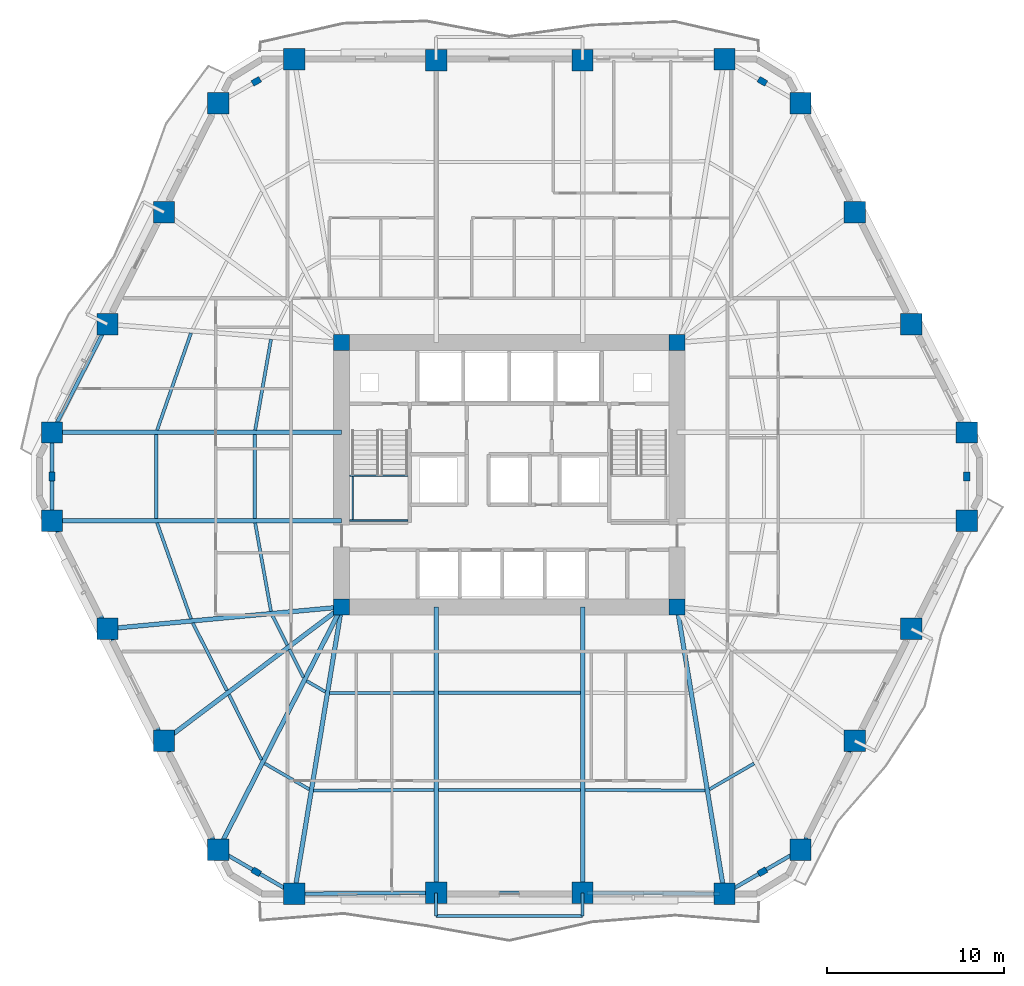
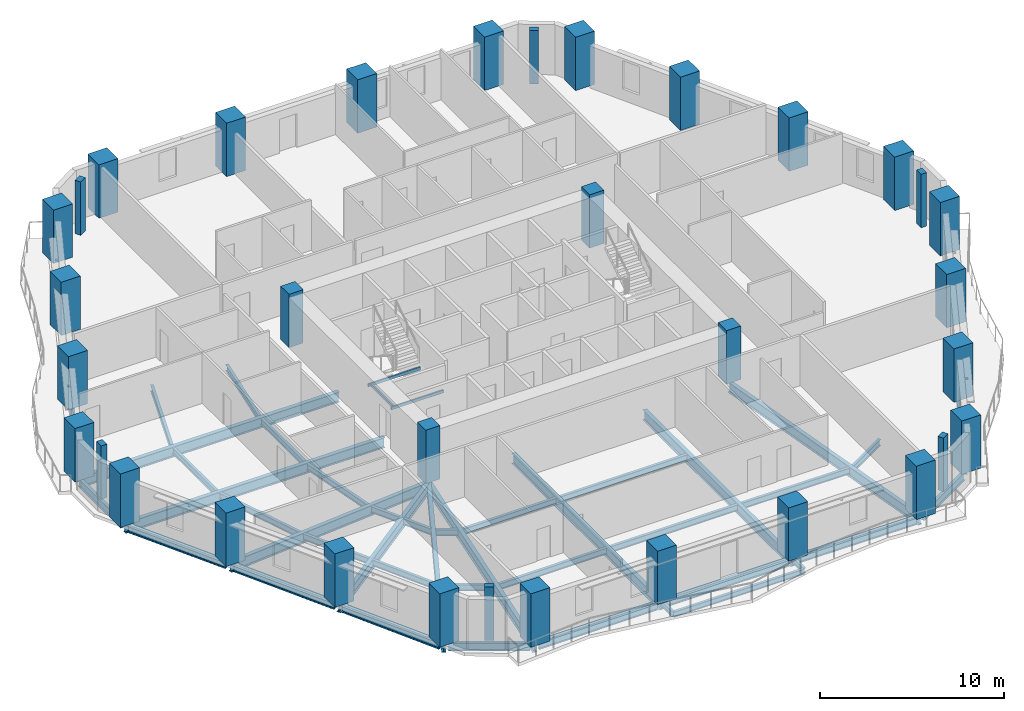
# One storey, part 1 of 13: 44 beams, 34 columns.
"""IFC4 building model written with IfcOpenShell, lengths in metres."""

import ifcopenshell
import ifcopenshell.guid

model = None  # the IFC model being written
_history = None  # IfcOwnerHistory: only IFC2X3 demands one
_inside = {}  # id of a spatial element -> (the spatial element, [elements in it])
_under = {}  # id of a project, library or spatial element -> (it, [spatial elements below it])
_declared = {}  # id of a project -> (the project, [libraries it declares])
_typed = {}  # id of a type object -> (the type object, [elements of that type])
_made_of = {}  # id of a material, layer set ... -> (it, [elements and type objects made of it])


def new_model(schema):
    """Start an empty IFC model of exactly this schema.

    Asked for "IFC4X3", IfcOpenShell would pick the latest addendum, in which some entities
    have other attributes; the version numbers below select the first issue.
    IFC2X3 requires an IfcOwnerHistory on every rooted entity: one is made here for all.
    """
    global model, _history
    if schema == "IFC4X3":
        model = ifcopenshell.file(schema_version=(4, 3, 0, 0))
    else:
        model = ifcopenshell.file(schema=schema)
    _inside.clear()
    _under.clear()
    _declared.clear()
    _typed.clear()
    _made_of.clear()
    _history = None
    if model.schema == "IFC2X3":
        org = make("IfcOrganization", Name="unknown")
        user = make(
            "IfcPersonAndOrganization",
            ThePerson=make("IfcPerson", FamilyName="unknown"),
            TheOrganization=org,
        )
        app = make(
            "IfcApplication",
            ApplicationDeveloper=org,
            Version="unknown",
            ApplicationFullName="unknown",
            ApplicationIdentifier="unknown",
        )
        _history = make(
            "IfcOwnerHistory",
            OwningUser=user,
            OwningApplication=app,
            ChangeAction="ADDED",
            CreationDate=0,
        )
    return model


def make(cls, **values):
    """One entity of the class cls with the attributes given. An attribute that is None is left unset."""
    return model.create_entity(
        cls, **{name: value for name, value in values.items() if value is not None}
    )


def rooted(cls, **values):
    """An entity with a GlobalId (a new one), such as an element, a storey or a relation."""
    return make(cls, GlobalId=ifcopenshell.guid.new(), OwnerHistory=_history, **values)


def si_unit(unit_type, name, prefix=None):
    """IfcSIUnit, for example si_unit("LENGTHUNIT", "METRE", prefix="MILLI")."""
    return make("IfcSIUnit", UnitType=unit_type, Prefix=prefix, Name=name)


def assignment(units):
    """IfcUnitAssignment: the units of a project."""
    return None if units is None else make("IfcUnitAssignment", Units=units)


def point(xyz):
    """IfcCartesianPoint."""
    return None if xyz is None else make("IfcCartesianPoint", Coordinates=xyz)


def direction(xyz):
    """IfcDirection."""
    return None if xyz is None else make("IfcDirection", DirectionRatios=xyz)


def frame(location, z_axis=None, x_axis=None):
    """IfcAxis2Placement3D, a coordinate frame: its origin and axes. An axis left out is left unset."""
    return make(
        "IfcAxis2Placement3D",
        Location=point(location),
        Axis=direction(z_axis),
        RefDirection=direction(x_axis),
    )


def frame_2d(location, x_axis=None):
    """IfcAxis2Placement2D, a coordinate frame in the plane: its origin and x axis."""
    return make(
        "IfcAxis2Placement2D", Location=point(location), RefDirection=direction(x_axis)
    )


def origin():
    """The frame at (0, 0, 0) with its axes left unset."""
    return frame((0.0, 0.0, 0.0))


def origin_2d():
    """The frame at (0, 0) in the plane with its x axis left unset."""
    return frame_2d((0.0, 0.0))


def place(relative_to, where):
    """IfcLocalPlacement: puts the frame where relative to a parent placement (None: the world)."""
    return make(
        "IfcLocalPlacement", PlacementRelTo=relative_to, RelativePlacement=where
    )


def context(
    kind, dimensions, precision=None, world=None, true_north=None, identifier=None
):
    """IfcGeometricRepresentationContext, for example the 3D "Model" context."""
    return make(
        "IfcGeometricRepresentationContext",
        ContextIdentifier=identifier,
        ContextType=kind,
        CoordinateSpaceDimension=dimensions,
        Precision=precision,
        WorldCoordinateSystem=world,
        TrueNorth=true_north,
    )


def subcontext(parent, identifier, kind, view, scale=None):
    """IfcGeometricRepresentationSubContext, for example "Body" below "Model"."""
    return make(
        "IfcGeometricRepresentationSubContext",
        ContextIdentifier=identifier,
        ContextType=kind,
        ParentContext=parent,
        TargetScale=scale,
        TargetView=view,
    )


def project(units=None, contexts=None):
    """IfcProject with its units and contexts."""
    return rooted(
        "IfcProject",
        Name="project",
        RepresentationContexts=contexts,
        UnitsInContext=assignment(units),
    )


def spatial(cls, under=None, at=None, **own):
    """A site, building, storey or space (cls), placed at a placement, below another one or the project."""
    s = rooted(cls, ObjectPlacement=at, **own)
    if under is not None:
        _under.setdefault(under.id(), (under, []))[1].append(s)
    return s


def profile(cls, at=None, kind="AREA", **sizes):
    """A parametric profile (cls). Its sizes go by their IFC names, for example OverallWidth=200.0."""
    return make(cls, ProfileType=kind, Position=at, **sizes)


def rectangle(**sizes):
    """IfcRectangleProfileDef."""
    return profile("IfcRectangleProfileDef", **sizes)


def hollow_rectangle(**sizes):
    """IfcRectangleHollowProfileDef."""
    return profile("IfcRectangleHollowProfileDef", **sizes)


def i_section(**sizes):
    """IfcIShapeProfileDef."""
    return profile("IfcIShapeProfileDef", **sizes)


def extrude(swept, where, along, depth):
    """IfcExtrudedAreaSolid: the profile swept, set in the frame where, extruded along a direction by depth."""
    return make(
        "IfcExtrudedAreaSolid",
        SweptArea=swept,
        Position=where,
        ExtrudedDirection=direction(along),
        Depth=depth,
    )


def shape(context_of_items, identifier, shape_type, items):
    """IfcShapeRepresentation: the items that make up one representation, for example the "Body"."""
    return make(
        "IfcShapeRepresentation",
        ContextOfItems=context_of_items,
        RepresentationIdentifier=identifier,
        RepresentationType=shape_type,
        Items=items,
    )


def material(Name=None, Category=None):
    """IfcMaterial."""
    return make("IfcMaterial", Name=Name, Category=Category)


def material_profile(
    of_material, cross_section, Name=None, Category=None, Priority=None
):
    """IfcMaterialProfile: a cross section and its material."""
    return make(
        "IfcMaterialProfile",
        Name=Name,
        Material=of_material,
        Profile=cross_section,
        Priority=Priority,
        Category=Category,
    )


def profile_set(profiles, Name=None, composite=None):
    """IfcMaterialProfileSet."""
    return make(
        "IfcMaterialProfileSet",
        Name=Name,
        MaterialProfiles=profiles,
        CompositeProfile=composite,
    )


def made_of(thing, what):
    """Note that an element or type object is made of a material, layer set ...; save() writes the relation."""
    if what is not None:
        _made_of.setdefault(what.id(), (what, []))[1].append(thing)
    return thing


def type_object(cls, material=None, **own):
    """A type object (cls), such as IfcWallType, which elements share."""
    return made_of(rooted(cls, **own), material)


def element(
    cls,
    number,
    at=None,
    inside=None,
    cuts=None,
    type_object=None,
    material=None,
    context=None,
    identifier="Body",
    shape_type=None,
    held_by="IfcProductDefinitionShape",
    body=None,
    shapes=None,
    **own,
):
    """One element of the class cls, such as IfcWall. Its Tag is "e" and its number.

    at: its placement. inside: the storey or other place that contains it. cuts: it is an
    opening in that element (IfcRelVoidsElement). A single representation is given by context,
    identifier, shape_type and body (its items); several are given by shapes. held_by: the class
    of the entity that holds the representations. save() writes the other relations.
    """
    e = rooted(cls, Tag="e%d" % number, ObjectPlacement=at, **own)
    if body is not None:
        shapes = [shape(context, identifier, shape_type, body)]
    if shapes is not None:
        e.Representation = make(held_by, Representations=shapes)
    if inside is not None:
        _inside.setdefault(inside.id(), (inside, []))[1].append(e)
    if cuts is not None:
        rooted(
            "IfcRelVoidsElement", RelatingBuildingElement=cuts, RelatedOpeningElement=e
        )
    if type_object is not None:
        _typed.setdefault(type_object.id(), (type_object, []))[1].append(e)
    return made_of(e, material)


def aggregate(whole, parts):
    """IfcRelAggregates: a whole, such as a stair, and the parts it consists of."""
    return rooted("IfcRelAggregates", RelatingObject=whole, RelatedObjects=parts)


def save(model, path):
    """Write the relations noted so far, then the file.

    IfcRelAggregates (storeys below a building ...), IfcRelContainedInSpatialStructure (elements
    in a storey), IfcRelDefinesByType, IfcRelAssociatesMaterial and IfcRelDeclares: one each for
    every whole, place, type object, material and project.
    """
    for whole, parts in _under.values():
        aggregate(whole, parts)
    for where, things in _inside.values():
        rooted(
            "IfcRelContainedInSpatialStructure",
            RelatedElements=things,
            RelatingStructure=where,
        )
    for kind, things in _typed.values():
        rooted("IfcRelDefinesByType", RelatedObjects=things, RelatingType=kind)
    for what, things in _made_of.values():
        rooted("IfcRelAssociatesMaterial", RelatedObjects=things, RelatingMaterial=what)
    for by, libraries in _declared.values():
        rooted("IfcRelDeclares", RelatingContext=by, RelatedDefinitions=libraries)
    model.write(path)


model = new_model("IFC4")

# Units and contexts
model_context = context("Model", 3, precision=1e-05, world=origin(), true_north=direction((0.0, 1.0)))
body_context = subcontext(model_context, "Body", "Model", "MODEL_VIEW")
ifc_project = project(units=[si_unit("LENGTHUNIT", "METRE"), si_unit("AREAUNIT", "SQUARE_METRE"), si_unit("VOLUMEUNIT", "CUBIC_METRE"), si_unit("PLANEANGLEUNIT", "RADIAN"), si_unit("MASSUNIT", "GRAM", prefix="KILO")], contexts=[model_context])

# Site, building, storey
site_placement = place(None, origin())
site = spatial("IfcSite", under=ifc_project, at=site_placement, CompositionType="ELEMENT")
building_placement = place(site_placement, origin())
building = spatial("IfcBuilding", under=site, at=building_placement, Name="Cinnabar Lancet Tower", CompositionType="ELEMENT")
storey_placement = place(building_placement, frame((0.0, 0.0, 49.75)))
storey = spatial("IfcBuildingStorey", under=building, at=storey_placement, Name="L12", CompositionType="ELEMENT", Elevation=49.75)

# Columns
ifc_material_1 = material(Name="Concrete C80/95", Category="concrete")
ifc_material_profile_1 = material_profile(ifc_material_1, rectangle(XDim=0.89990234375, YDim=0.89990234375, at=origin_2d()), Name="RC-COL 900x900")
ifc_profile_set_1 = profile_set([ifc_material_profile_1], Name="Concrete C80/95")
column_type_1 = type_object("IfcColumnType", Name="STR-COL-CORE-900", PredefinedType="COLUMN", material=ifc_profile_set_1)
for number, where, z_axis, x_axis, name in (
    (1, (22.949951171875, 18.449951171875, 0.0), (0.0, 0.0, 1.0), (1.0, 0.0, 0.0), "L12 Core Corner Column SW"),
    (2, (41.85009765625, 18.449951171875, 0.0), (0.0, 0.0, 1.0), (1.0, 0.0, 0.0), "L12 Core Corner Column SE"),
    (3, (41.85009765625, 33.35009765625, 0.0), (0.0, 0.0, 1.0), (1.0, 0.0, 0.0), "L12 Core Corner Column NE"),
    (4, (22.949951171875, 33.35009765625, 0.0), (0.0, 0.0, 1.0), (1.0, 0.0, 0.0), "L12 Core Corner Column NW"),
):
    element("IfcColumn", number, at=place(storey_placement, frame(where, z_axis=z_axis, x_axis=x_axis)), inside=storey, type_object=column_type_1, Name=name, PredefinedType="COLUMN", context=body_context, shape_type="SweptSolid", body=[
        extrude(rectangle(XDim=0.89990234375, YDim=0.89990234375, at=origin_2d()), origin(), (0.0, 0.0, 1.0), 3.550048828125),
    ])
ifc_material_2 = material(Name="Concrete C60/75", Category="concrete")
ifc_material_profile_2 = material_profile(ifc_material_2, rectangle(XDim=0.5, YDim=0.35009765625, at=origin_2d()), Name="RC-PIL 500x350")
ifc_profile_set_2 = profile_set([ifc_material_profile_2], Name="Concrete C60/75")
column_type_2 = type_object("IfcColumnType", Name="STR-COL-PIL-500", PredefinedType="PILASTER", material=ifc_profile_set_2)
for number, where, z_axis, x_axis, name in (
    (5, (18.139892578125, 3.531005859375, 0.0), (0.0, 0.0, 1.0), (0.865195182343, -0.501435236546, 0.0), "L12 Chamfered Corner Pilaster 1"),
    (6, (46.659912109375, 3.531005859375, 0.0), (0.0, 0.0, 1.0), (0.865195182343, 0.501435236546, 0.0), "L12 Chamfered Corner Pilaster 2"),
    (7, (58.16796875, 25.800048828125, 0.0), (0.0, 0.0, 1.0), (0.0, 1.0, 0.0), "L12 Chamfered Corner Pilaster 3"),
    (8, (46.659912109375, 48.069091796875, 0.0), (0.0, 0.0, 1.0), (-0.865195182343, 0.501435236546, 0.0), "L12 Chamfered Corner Pilaster 4"),
    (9, (18.139892578125, 48.069091796875, 0.0), (0.0, 0.0, 1.0), (-0.865195182343, -0.501435236546, 0.0), "L12 Chamfered Corner Pilaster 5"),
    (10, (6.632080078125, 25.800048828125, 0.0), (0.0, 0.0, 1.0), (0.0, -1.0, 0.0), "L12 Chamfered Corner Pilaster 6"),
):
    element("IfcColumn", number, at=place(storey_placement, frame(where, z_axis=z_axis, x_axis=x_axis)), inside=storey, type_object=column_type_2, Name=name, PredefinedType="PILASTER", context=body_context, shape_type="SweptSolid", body=[
        extrude(rectangle(XDim=0.5, YDim=0.35009765625, at=origin_2d()), origin(), (0.0, 0.0, 1.0), 3.550048828125),
    ])
ifc_material_3 = material(Name="Concrete C80/95", Category="concrete")
ifc_material_profile_3 = material_profile(ifc_material_3, rectangle(XDim=1.199951171875, YDim=1.199951171875, at=origin_2d()), Name="RC-COL 1200x1200")
ifc_profile_set_3 = profile_set([ifc_material_profile_3], Name="Concrete C80/95")
column_type_3 = type_object("IfcColumnType", Name="STR-COL-TUBE-1200", PredefinedType="COLUMN", material=ifc_profile_set_3)
for number, where, z_axis, x_axis, name in (
    (11, (20.282958984375, 2.2890625, 0.0), (0.0, 0.0, 1.0), (1.0, 0.0, 0.0), "L12 Perimeter Tube Column 1"),
    (12, (28.278076171875, 2.342041015625, 0.0), (0.0, 0.0, 1.0), (1.0, 0.0, 0.0), "L12 Perimeter Tube Column 2"),
    (13, (36.52197265625, 2.342041015625, 0.0), (0.0, 0.0, 1.0), (1.0, 0.0, 0.0), "L12 Perimeter Tube Column 3"),
    (14, (44.51708984375, 2.2890625, 0.0), (0.0, 0.0, 1.0), (1.0, 0.0, 0.0), "L12 Perimeter Tube Column 4"),
    (15, (48.802978515625, 4.77294921875, 0.0), (0.0, 0.0, 1.0), (1.0, 0.0, 0.0), "L12 Perimeter Tube Column 5"),
    (16, (51.85888671875, 10.908935546875, 0.0), (0.0, 0.0, 1.0), (1.0, 0.0, 0.0), "L12 Perimeter Tube Column 6"),
    (17, (55.0458984375, 17.219970703125, 0.0), (0.0, 0.0, 1.0), (1.0, 0.0, 0.0), "L12 Perimeter Tube Column 7"),
    (18, (58.16796875, 23.31396484375, 0.0), (0.0, 0.0, 1.0), (1.0, 0.0, 0.0), "L12 Perimeter Tube Column 8"),
    (19, (58.16796875, 28.285888671875, 0.0), (0.0, 0.0, 1.0), (1.0, 0.0, 0.0), "L12 Perimeter Tube Column 9"),
    (20, (55.0458984375, 34.3798828125, 0.0), (0.0, 0.0, 1.0), (1.0, 0.0, 0.0), "L12 Perimeter Tube Column 10"),
    (21, (51.85888671875, 40.69091796875, 0.0), (0.0, 0.0, 1.0), (1.0, 0.0, 0.0), "L12 Perimeter Tube Column 11"),
    (22, (48.802978515625, 46.826904296875, 0.0), (0.0, 0.0, 1.0), (1.0, 0.0, 0.0), "L12 Perimeter Tube Column 12"),
    (23, (44.51708984375, 49.31103515625, 0.0), (0.0, 0.0, 1.0), (1.0, 0.0, 0.0), "L12 Perimeter Tube Column 13"),
    (24, (36.52197265625, 49.258056640625, 0.0), (0.0, 0.0, 1.0), (1.0, 0.0, 0.0), "L12 Perimeter Tube Column 14"),
    (25, (28.278076171875, 49.258056640625, 0.0), (0.0, 0.0, 1.0), (1.0, 0.0, 0.0), "L12 Perimeter Tube Column 15"),
    (26, (20.282958984375, 49.31103515625, 0.0), (0.0, 0.0, 1.0), (1.0, 0.0, 0.0), "L12 Perimeter Tube Column 16"),
    (27, (15.9970703125, 46.826904296875, 0.0), (0.0, 0.0, 1.0), (1.0, 0.0, 0.0), "L12 Perimeter Tube Column 17"),
    (28, (12.94091796875, 40.69091796875, 0.0), (0.0, 0.0, 1.0), (1.0, 0.0, 0.0), "L12 Perimeter Tube Column 18"),
    (29, (9.75390625, 34.3798828125, 0.0), (0.0, 0.0, 1.0), (1.0, 0.0, 0.0), "L12 Perimeter Tube Column 19"),
    (30, (6.632080078125, 28.285888671875, 0.0), (0.0, 0.0, 1.0), (1.0, 0.0, 0.0), "L12 Perimeter Tube Column 20"),
    (31, (6.632080078125, 23.31396484375, 0.0), (0.0, 0.0, 1.0), (1.0, 0.0, 0.0), "L12 Perimeter Tube Column 21"),
    (32, (9.75390625, 17.219970703125, 0.0), (0.0, 0.0, 1.0), (1.0, 0.0, 0.0), "L12 Perimeter Tube Column 22"),
    (33, (12.94091796875, 10.908935546875, 0.0), (0.0, 0.0, 1.0), (1.0, 0.0, 0.0), "L12 Perimeter Tube Column 23"),
    (34, (15.9970703125, 4.77294921875, 0.0), (0.0, 0.0, 1.0), (1.0, 0.0, 0.0), "L12 Perimeter Tube Column 24"),
):
    element("IfcColumn", number, at=place(storey_placement, frame(where, z_axis=z_axis, x_axis=x_axis)), inside=storey, type_object=column_type_3, Name=name, PredefinedType="COLUMN", context=body_context, shape_type="SweptSolid", body=[
        extrude(rectangle(XDim=1.199951171875, YDim=1.199951171875, at=origin_2d()), origin(), (0.0, 0.0, 1.0), 3.550048828125),
    ])

# Beams
ifc_material_4 = material(Name="Structural steel S355", Category="steel")
ifc_material_profile_4 = material_profile(ifc_material_4, i_section(OverallWidth=0.177978515625, OverallDepth=0.406494140625, WebThickness=0.0078125, FlangeThickness=0.0126953125, FilletRadius=0.01025390625, at=origin_2d()), Name="UKB 406x178x60")
ifc_profile_set_4 = profile_set([ifc_material_profile_4], Name="Structural steel S355")
beam_type_1 = type_object("IfcBeamType", Name="STR-BM-JST-406", PredefinedType="JOIST", material=ifc_profile_set_4)
beam_1_placement = place(storey_placement, frame((12.551025390625, 23.18701171875, -0.423095703125), z_axis=(0.333384030214, -0.942791115995, 0.0), x_axis=(0.942791115995, 0.333384030214, 0.0)))
element("IfcBeam", 35, at=beam_1_placement, inside=storey, type_object=beam_type_1, Name="L12 Secondary Floor Joist 1", PredefinedType="JOIST", context=body_context, shape_type="SweptSolid", body=[
    extrude(i_section(OverallWidth=0.177978515625, OverallDepth=0.406494140625, WebThickness=0.0078125, FlangeThickness=0.0126953125, FilletRadius=0.01025390625, at=origin_2d()), origin(), (0.0, 0.0, 1.0), 5.728759765625),
])
beam_2_placement = place(storey_placement, frame((18.076904296875, 23.18701171875, -0.423095703125), z_axis=(0.176294913937, -0.984337393031, 0.0), x_axis=(0.984337393031, 0.176294913937, 0.0)))
element("IfcBeam", 36, at=beam_2_placement, inside=storey, type_object=beam_type_1, Name="L12 Secondary Floor Joist 2", PredefinedType="JOIST", context=body_context, shape_type="SweptSolid", body=[
    extrude(i_section(OverallWidth=0.177978515625, OverallDepth=0.406494140625, WebThickness=0.0078125, FlangeThickness=0.0126953125, FilletRadius=0.01025390625, at=origin_2d()), origin(), (0.0, 0.0, 1.0), 5.060302734375),
])
beam_3_placement = place(storey_placement, frame((14.56591796875, 17.541015625, -0.423095703125), z_axis=(0.450809572228, -0.892620148545, 0.0), x_axis=(0.892620148545, 0.450809572228, 0.0)))
element("IfcBeam", 37, at=beam_3_placement, inside=storey, type_object=beam_type_1, Name="L12 Secondary Floor Joist 3", PredefinedType="JOIST", context=body_context, shape_type="SweptSolid", body=[
    extrude(i_section(OverallWidth=0.177978515625, OverallDepth=0.406494140625, WebThickness=0.0078125, FlangeThickness=0.0126953125, FilletRadius=0.01025390625, at=origin_2d()), origin(), (0.0, 0.0, 1.0), 4.25927734375),
])
beam_4_placement = place(storey_placement, frame((19.052978515625, 17.958984375, -0.423095703125), z_axis=(0.450632179195, -0.892709717139, 0.0), x_axis=(0.892709717139, 0.450632179195, 0.0)))
element("IfcBeam", 38, at=beam_4_placement, inside=storey, type_object=beam_type_1, Name="L12 Secondary Floor Joist 4", PredefinedType="JOIST", context=body_context, shape_type="SweptSolid", body=[
    extrude(i_section(OverallWidth=0.177978515625, OverallDepth=0.406494140625, WebThickness=0.0078125, FlangeThickness=0.0126953125, FilletRadius=0.01025390625, at=origin_2d()), origin(), (0.0, 0.0, 1.0), 1.85498046875),
])
beam_5_placement = place(storey_placement, frame((16.60205078125, 13.508056640625, -0.423095703125), z_axis=(0.445807799253, -0.895128709251, 0.0), x_axis=(0.895128709251, 0.445807799253, 0.0)))
element("IfcBeam", 39, at=beam_5_placement, inside=storey, type_object=beam_type_1, Name="L12 Secondary Floor Joist 5", PredefinedType="JOIST", context=body_context, shape_type="SweptSolid", body=[
    extrude(i_section(OverallWidth=0.177978515625, OverallDepth=0.406494140625, WebThickness=0.0078125, FlangeThickness=0.0126953125, FilletRadius=0.01025390625, at=origin_2d()), origin(), (0.0, 0.0, 1.0), 4.10009765625),
])
beam_6_placement = place(storey_placement, frame((20.0048828125, 16.072021484375, -0.423095703125), z_axis=(0.445888683384, -0.895088421347, 0.0), x_axis=(0.895088421347, 0.445888683384, 0.0)))
element("IfcBeam", 40, at=beam_6_placement, inside=storey, type_object=beam_type_1, Name="L12 Secondary Floor Joist 6", PredefinedType="JOIST", context=body_context, shape_type="SweptSolid", body=[
    extrude(i_section(OverallWidth=0.177978515625, OverallDepth=0.406494140625, WebThickness=0.0078125, FlangeThickness=0.0126953125, FilletRadius=0.01025390625, at=origin_2d()), origin(), (0.0, 0.0, 1.0), 1.76953125),
])
beam_7_placement = place(storey_placement, frame((18.610107421875, 9.633056640625, -0.423095703125), z_axis=(0.865209684948, -0.501410212373, 0.0), x_axis=(0.501410212373, 0.865209684948, 0.0)))
element("IfcBeam", 41, at=beam_7_placement, inside=storey, type_object=beam_type_1, Name="L12 Secondary Floor Joist 7", PredefinedType="JOIST", context=body_context, shape_type="SweptSolid", body=[
    extrude(i_section(OverallWidth=0.177978515625, OverallDepth=0.406494140625, WebThickness=0.0078125, FlangeThickness=0.0126953125, FilletRadius=0.01025390625, at=origin_2d()), origin(), (0.0, 0.0, 1.0), 2.90771484375),
])
beam_8_placement = place(storey_placement, frame((20.97412109375, 14.282958984375, -0.423095703125), z_axis=(0.865417177575, -0.50105200205, 0.0), x_axis=(0.50105200205, 0.865417177575, 0.0)))
element("IfcBeam", 42, at=beam_8_placement, inside=storey, type_object=beam_type_1, Name="L12 Secondary Floor Joist 8", PredefinedType="JOIST", context=body_context, shape_type="SweptSolid", body=[
    extrude(i_section(OverallWidth=0.177978515625, OverallDepth=0.406494140625, WebThickness=0.0078125, FlangeThickness=0.0126953125, FilletRadius=0.01025390625, at=origin_2d()), origin(), (0.0, 0.0, 1.0), 1.223388671875),
])
beam_9_placement = place(storey_placement, frame((21.3720703125, 8.10791015625, -0.423095703125), z_axis=(0.999988870422, 0.004717947923, 0.0), x_axis=(-0.004717947923, 0.999988870422, 0.0)))
element("IfcBeam", 43, at=beam_9_placement, inside=storey, type_object=beam_type_1, Name="L12 Secondary Floor Joist 9", PredefinedType="JOIST", context=body_context, shape_type="SweptSolid", body=[
    extrude(i_section(OverallWidth=0.177978515625, OverallDepth=0.406494140625, WebThickness=0.0078125, FlangeThickness=0.0126953125, FilletRadius=0.01025390625, at=origin_2d()), origin(), (0.0, 0.0, 1.0), 6.77880859375),
])
beam_10_placement = place(storey_placement, frame((22.279052734375, 13.60205078125, -0.423095703125), z_axis=(0.999996783665, 0.00253626892, 0.0), x_axis=(-0.00253626892, 0.999996783665, 0.0)))
element("IfcBeam", 44, at=beam_10_placement, inside=storey, type_object=beam_type_1, Name="L12 Secondary Floor Joist 10", PredefinedType="JOIST", context=body_context, shape_type="SweptSolid", body=[
    extrude(i_section(OverallWidth=0.177978515625, OverallDepth=0.406494140625, WebThickness=0.0078125, FlangeThickness=0.0126953125, FilletRadius=0.01025390625, at=origin_2d()), origin(), (0.0, 0.0, 1.0), 5.871826171875),
])
for number, where, z_axis, x_axis, name in (
    (45, (28.405029296875, 8.14111328125, -0.423095703125), (1.0, 0.0, 0.0), (0.0, 1.0, 0.0), "L12 Secondary Floor Joist 11"),
    (46, (28.405029296875, 13.617919921875, -0.423095703125), (1.0, 0.0, 0.0), (0.0, 1.0, 0.0), "L12 Secondary Floor Joist 12"),
):
    element("IfcBeam", number, at=place(storey_placement, frame(where, z_axis=z_axis, x_axis=x_axis)), inside=storey, type_object=beam_type_1, Name=name, PredefinedType="JOIST", context=body_context, shape_type="SweptSolid", body=[
        extrude(i_section(OverallWidth=0.177978515625, OverallDepth=0.406494140625, WebThickness=0.0078125, FlangeThickness=0.0126953125, FilletRadius=0.01025390625, at=origin_2d()), origin(), (0.0, 0.0, 1.0), 7.989990234375),
    ])
beam_11_placement = place(storey_placement, frame((36.64892578125, 8.139892578125, -0.423095703125), z_axis=(0.999988871223, -0.004717778015, 0.0), x_axis=(0.004717778015, 0.999988871223, 0.0)))
element("IfcBeam", 47, at=beam_11_placement, inside=storey, type_object=beam_type_1, Name="L12 Secondary Floor Joist 13", PredefinedType="JOIST", context=body_context, shape_type="SweptSolid", body=[
    extrude(i_section(OverallWidth=0.177978515625, OverallDepth=0.406494140625, WebThickness=0.0078125, FlangeThickness=0.0126953125, FilletRadius=0.01025390625, at=origin_2d()), origin(), (0.0, 0.0, 1.0), 6.779052734375),
])
beam_12_placement = place(storey_placement, frame((43.674072265625, 8.175048828125, -0.423095703125), z_axis=(0.865209684948, 0.501410212373, 0.0), x_axis=(-0.501410212373, 0.865209684948, 0.0)))
element("IfcBeam", 48, at=beam_12_placement, inside=storey, type_object=beam_type_1, Name="L12 Secondary Floor Joist 15", PredefinedType="JOIST", context=body_context, shape_type="SweptSolid", body=[
    extrude(i_section(OverallWidth=0.177978515625, OverallDepth=0.406494140625, WebThickness=0.0078125, FlangeThickness=0.0126953125, FilletRadius=0.01025390625, at=origin_2d()), origin(), (0.0, 0.0, 1.0), 2.90771484375),
])
beam_13_placement = place(storey_placement, frame((14.4609375, 33.885009765625, -0.423095703125), z_axis=(-0.329541584143, -0.944141061664, 0.0), x_axis=(0.944141061664, -0.329541584143, 0.0)))
element("IfcBeam", 49, at=beam_13_placement, inside=storey, type_object=beam_type_1, Name="L12 Secondary Floor Joist 45", PredefinedType="JOIST", context=body_context, shape_type="SweptSolid", body=[
    extrude(i_section(OverallWidth=0.177978515625, OverallDepth=0.406494140625, WebThickness=0.0078125, FlangeThickness=0.0126953125, FilletRadius=0.01025390625, at=origin_2d()), origin(), (0.0, 0.0, 1.0), 5.795654296875),
])
beam_14_placement = place(storey_placement, frame((18.968994140625, 33.532958984375, -0.423095703125), z_axis=(-0.17165440437, -0.985157228802, 0.0), x_axis=(0.985157228802, -0.17165440437, 0.0)))
element("IfcBeam", 50, at=beam_14_placement, inside=storey, type_object=beam_type_1, Name="L12 Secondary Floor Joist 46", PredefinedType="JOIST", context=body_context, shape_type="SweptSolid", body=[
    extrude(i_section(OverallWidth=0.177978515625, OverallDepth=0.406494140625, WebThickness=0.0078125, FlangeThickness=0.0126953125, FilletRadius=0.01025390625, at=origin_2d()), origin(), (0.0, 0.0, 1.0), 5.197021484375),
])
for number, where, z_axis, x_axis, name in (
    (51, (12.506103515625, 28.158935546875, -0.423095703125), (0.0, -1.0, 0.0), (1.0, 0.0, 0.0), "L12 Secondary Floor Joist 47"),
    (52, (18.054931640625, 28.158935546875, -0.423095703125), (0.0, -1.0, 0.0), (1.0, 0.0, 0.0), "L12 Secondary Floor Joist 48"),
):
    element("IfcBeam", number, at=place(storey_placement, frame(where, z_axis=z_axis, x_axis=x_axis)), inside=storey, type_object=beam_type_1, Name=name, PredefinedType="JOIST", context=body_context, shape_type="SweptSolid", body=[
        extrude(i_section(OverallWidth=0.177978515625, OverallDepth=0.406494140625, WebThickness=0.0078125, FlangeThickness=0.0126953125, FilletRadius=0.01025390625, at=origin_2d()), origin(), (0.0, 0.0, 1.0), 4.718017578125),
    ])
ifc_material_5 = material(Name="Structural steel S355", Category="steel")
ifc_material_profile_5 = material_profile(ifc_material_5, hollow_rectangle(XDim=0.10009765625, YDim=0.199951171875, WallThickness=0.008056640625, InnerFilletRadius=0.00390625, OuterFilletRadius=0.011962890625, at=origin_2d()), Name="RHS 200x100x8")
ifc_profile_set_5 = profile_set([ifc_material_profile_5], Name="Structural steel S355")
beam_type_2 = type_object("IfcBeamType", Name="STR-BM-LND-203", PredefinedType="BEAM", material=ifc_profile_set_5)
for number, where, z_axis, x_axis, name in (
    (53, (23.39990234375, 23.330078125, 1.47509765625), (1.0, 0.0, 0.0), (0.0, 1.0, 0.0), "L12 ST-1-L12 Landing Support Beam S"),
    (54, (23.39990234375, 25.844970703125, 1.47509765625), (1.0, 0.0, 0.0), (0.0, 1.0, 0.0), "L12 ST-1-L12 Landing Support Beam N"),
):
    element("IfcBeam", number, at=place(storey_placement, frame(where, z_axis=z_axis, x_axis=x_axis)), inside=storey, type_object=beam_type_2, Name=name, PredefinedType="BEAM", context=body_context, shape_type="SweptSolid", body=[
        extrude(hollow_rectangle(XDim=0.10009765625, YDim=0.199951171875, WallThickness=0.008056640625, InnerFilletRadius=0.00390625, OuterFilletRadius=0.011962890625, at=origin_2d()), origin(), (0.0, 0.0, 1.0), 3.280029296875),
    ])
beam_15_placement = place(storey_placement, frame((23.580078125, 23.3798828125, 1.47509765625), z_axis=(0.0, 1.0, 0.0), x_axis=(-1.0, 0.0, 0.0)))
element("IfcBeam", 55, at=beam_15_placement, inside=storey, type_object=beam_type_2, Name="L12 ST-1-L12 Landing Side Trimmer Beam", PredefinedType="BEAM", context=body_context, shape_type="SweptSolid", body=[
    extrude(hollow_rectangle(XDim=0.10009765625, YDim=0.199951171875, WallThickness=0.008056640625, InnerFilletRadius=0.00390625, OuterFilletRadius=0.011962890625, at=origin_2d()), origin(), (0.0, 0.0, 1.0), 2.4150390625),
])
ifc_material_6 = material(Name="Structural steel S355", Category="steel")
ifc_material_profile_6 = material_profile(ifc_material_6, i_section(OverallWidth=0.209228515625, OverallDepth=0.533203125, WebThickness=0.010009765625, FlangeThickness=0.015625, FilletRadius=0.0126953125, at=origin_2d()), Name="UKB 533x210x92")
ifc_profile_set_6 = profile_set([ifc_material_profile_6], Name="Structural steel S355")
beam_type_3 = type_object("IfcBeamType", Name="STR-BM-SPN-533", PredefinedType="SPANDREL", material=ifc_profile_set_6)
beam_16_placement = place(storey_placement, frame((20.532958984375, 2.291015625, -0.487060546875), z_axis=(0.99997856757, 0.006547090947, 0.0), x_axis=(-0.006547090947, 0.99997856757, 0.0)))
element("IfcBeam", 56, at=beam_16_placement, inside=storey, type_object=beam_type_3, Name="L12 Perimeter Spandrel 1", PredefinedType="SPANDREL", context=body_context, shape_type="SweptSolid", body=[
    extrude(i_section(OverallWidth=0.209228515625, OverallDepth=0.533203125, WebThickness=0.010009765625, FlangeThickness=0.015625, FilletRadius=0.0126953125, at=origin_2d()), origin(), (0.0, 0.0, 1.0), 7.495361328125),
])
beam_17_placement = place(storey_placement, frame((28.528076171875, 2.342041015625, -0.487060546875), z_axis=(1.0, 0.0, 0.0), x_axis=(0.0, 1.0, 0.0)))
element("IfcBeam", 57, at=beam_17_placement, inside=storey, type_object=beam_type_3, Name="L12 Perimeter Spandrel 2", PredefinedType="SPANDREL", context=body_context, shape_type="SweptSolid", body=[
    extrude(i_section(OverallWidth=0.209228515625, OverallDepth=0.533203125, WebThickness=0.010009765625, FlangeThickness=0.015625, FilletRadius=0.0126953125, at=origin_2d()), origin(), (0.0, 0.0, 1.0), 7.743896484375),
])
beam_18_placement = place(storey_placement, frame((36.77197265625, 2.340087890625, -0.487060546875), z_axis=(0.99997856757, -0.006547090947, 0.0), x_axis=(0.006547090947, 0.99997856757, 0.0)))
element("IfcBeam", 58, at=beam_18_placement, inside=storey, type_object=beam_type_3, Name="L12 Perimeter Spandrel 3", PredefinedType="SPANDREL", context=body_context, shape_type="SweptSolid", body=[
    extrude(i_section(OverallWidth=0.209228515625, OverallDepth=0.533203125, WebThickness=0.010009765625, FlangeThickness=0.015625, FilletRadius=0.0126953125, at=origin_2d()), origin(), (0.0, 0.0, 1.0), 7.495361328125),
])
beam_19_placement = place(storey_placement, frame((44.73291015625, 2.4140625, -0.487060546875), z_axis=(0.865171017323, 0.501476929463, 0.0), x_axis=(-0.501476929463, 0.865171017323, 0.0)))
element("IfcBeam", 59, at=beam_19_placement, inside=storey, type_object=beam_type_3, Name="L12 Perimeter Spandrel 4", PredefinedType="SPANDREL", context=body_context, shape_type="SweptSolid", body=[
    extrude(i_section(OverallWidth=0.209228515625, OverallDepth=0.533203125, WebThickness=0.010009765625, FlangeThickness=0.015625, FilletRadius=0.0126953125, at=origin_2d()), origin(), (0.0, 0.0, 1.0), 4.45458984375),
])
beam_20_placement = place(storey_placement, frame((48.9140625, 4.9970703125, -0.487060546875), z_axis=(0.445953050023, 0.89505635419, 0.0), x_axis=(-0.89505635419, 0.445953050023, 0.0)))
element("IfcBeam", 60, at=beam_20_placement, inside=storey, type_object=beam_type_3, Name="L12 Perimeter Spandrel 5", PredefinedType="SPANDREL", context=body_context, shape_type="SweptSolid", body=[
    extrude(i_section(OverallWidth=0.209228515625, OverallDepth=0.533203125, WebThickness=0.010009765625, FlangeThickness=0.015625, FilletRadius=0.0126953125, at=origin_2d()), origin(), (0.0, 0.0, 1.0), 6.35498046875),
])
beam_21_placement = place(storey_placement, frame((9.639892578125, 34.156982421875, -0.487060546875), z_axis=(-0.455994051912, -0.889982822655, 0.0), x_axis=(0.889982822655, -0.455994051912, 0.0)))
element("IfcBeam", 61, at=beam_21_placement, inside=storey, type_object=beam_type_3, Name="L12 Perimeter Spandrel 19", PredefinedType="SPANDREL", context=body_context, shape_type="SweptSolid", body=[
    extrude(i_section(OverallWidth=0.209228515625, OverallDepth=0.533203125, WebThickness=0.010009765625, FlangeThickness=0.015625, FilletRadius=0.0126953125, at=origin_2d()), origin(), (0.0, 0.0, 1.0), 6.34619140625),
])
beam_22_placement = place(storey_placement, frame((6.632080078125, 28.035888671875, -0.487060546875), z_axis=(0.0, -1.0, 0.0), x_axis=(1.0, 0.0, 0.0)))
element("IfcBeam", 62, at=beam_22_placement, inside=storey, type_object=beam_type_3, Name="L12 Perimeter Spandrel 20", PredefinedType="SPANDREL", context=body_context, shape_type="SweptSolid", body=[
    extrude(i_section(OverallWidth=0.209228515625, OverallDepth=0.533203125, WebThickness=0.010009765625, FlangeThickness=0.015625, FilletRadius=0.0126953125, at=origin_2d()), origin(), (0.0, 0.0, 1.0), 4.471923828125),
])
beam_23_placement = place(storey_placement, frame((6.74609375, 23.091064453125, -0.487060546875), z_axis=(0.455994051912, -0.889982822655, 0.0), x_axis=(0.889982822655, 0.455994051912, 0.0)))
element("IfcBeam", 63, at=beam_23_placement, inside=storey, type_object=beam_type_3, Name="L12 Perimeter Spandrel 21", PredefinedType="SPANDREL", context=body_context, shape_type="SweptSolid", body=[
    extrude(i_section(OverallWidth=0.209228515625, OverallDepth=0.533203125, WebThickness=0.010009765625, FlangeThickness=0.015625, FilletRadius=0.0126953125, at=origin_2d()), origin(), (0.0, 0.0, 1.0), 6.34619140625),
])
beam_24_placement = place(storey_placement, frame((9.866943359375, 16.9970703125, -0.487060546875), z_axis=(0.450673532306, -0.892688841242, 0.0), x_axis=(0.892688841242, 0.450673532306, 0.0)))
element("IfcBeam", 64, at=beam_24_placement, inside=storey, type_object=beam_type_3, Name="L12 Perimeter Spandrel 22", PredefinedType="SPANDREL", context=body_context, shape_type="SweptSolid", body=[
    extrude(i_section(OverallWidth=0.209228515625, OverallDepth=0.533203125, WebThickness=0.010009765625, FlangeThickness=0.015625, FilletRadius=0.0126953125, at=origin_2d()), origin(), (0.0, 0.0, 1.0), 6.570068359375),
])
beam_25_placement = place(storey_placement, frame((13.052001953125, 10.68505859375, -0.487060546875), z_axis=(0.445953050023, -0.89505635419, 0.0), x_axis=(0.89505635419, 0.445953050023, 0.0)))
element("IfcBeam", 65, at=beam_25_placement, inside=storey, type_object=beam_type_3, Name="L12 Perimeter Spandrel 23", PredefinedType="SPANDREL", context=body_context, shape_type="SweptSolid", body=[
    extrude(i_section(OverallWidth=0.209228515625, OverallDepth=0.533203125, WebThickness=0.010009765625, FlangeThickness=0.015625, FilletRadius=0.0126953125, at=origin_2d()), origin(), (0.0, 0.0, 1.0), 6.35498046875),
])
beam_26_placement = place(storey_placement, frame((16.212890625, 4.64794921875, -0.487060546875), z_axis=(0.865171017323, -0.501476929463, 0.0), x_axis=(0.501476929463, 0.865171017323, 0.0)))
element("IfcBeam", 66, at=beam_26_placement, inside=storey, type_object=beam_type_3, Name="L12 Perimeter Spandrel 24", PredefinedType="SPANDREL", context=body_context, shape_type="SweptSolid", body=[
    extrude(i_section(OverallWidth=0.209228515625, OverallDepth=0.533203125, WebThickness=0.010009765625, FlangeThickness=0.015625, FilletRadius=0.0126953125, at=origin_2d()), origin(), (0.0, 0.0, 1.0), 4.45458984375),
])
ifc_material_7 = material(Name="Structural steel S355", Category="steel")
ifc_material_profile_7 = material_profile(ifc_material_7, i_section(OverallWidth=0.253662109375, OverallDepth=0.68359375, WebThickness=0.012451171875, FlangeThickness=0.01904296875, FilletRadius=0.01513671875, at=origin_2d()), Name="UKB 686x254x140")
ifc_profile_set_7 = profile_set([ifc_material_profile_7], Name="Structural steel S355")
beam_type_4 = type_object("IfcBeamType", Name="STR-BM-UKB686-140", PredefinedType="BEAM", material=ifc_profile_set_7)
beam_27_placement = place(storey_placement, frame((12.94091796875, 10.908935546875, -0.56201171875), z_axis=(0.798686588468, 0.601747233812, 0.0), x_axis=(-0.601747233812, 0.798686588468, 0.0)))
element("IfcBeam", 67, at=beam_27_placement, inside=storey, type_object=beam_type_4, Name="L12 Corner Collector Girder 1", PredefinedType="BEAM", context=body_context, shape_type="SweptSolid", body=[
    extrude(i_section(OverallWidth=0.253662109375, OverallDepth=0.68359375, WebThickness=0.012451171875, FlangeThickness=0.01904296875, FilletRadius=0.01513671875, at=origin_2d()), origin(), (0.0, 0.0, 1.0), 12.531982421875),
])
beam_28_placement = place(storey_placement, frame((20.282958984375, 2.2890625, -0.56201171875), z_axis=(0.162825264118, 0.986654921117, 0.0), x_axis=(-0.986654921117, 0.162825264118, 0.0)))
element("IfcBeam", 68, at=beam_28_placement, inside=storey, type_object=beam_type_4, Name="L12 Primary Floor Girder 1", PredefinedType="BEAM", context=body_context, shape_type="SweptSolid", body=[
    extrude(i_section(OverallWidth=0.253662109375, OverallDepth=0.68359375, WebThickness=0.012451171875, FlangeThickness=0.01904296875, FilletRadius=0.01513671875, at=origin_2d()), origin(), (0.0, 0.0, 1.0), 16.37939453125),
])
for number, where, z_axis, x_axis, name in (
    (69, (28.278076171875, 2.342041015625, -0.56201171875), (0.0, 1.0, 0.0), (-1.0, 0.0, 0.0), "L12 Primary Floor Girder 2"),
    (70, (36.52197265625, 2.342041015625, -0.56201171875), (0.0, 1.0, 0.0), (-1.0, 0.0, 0.0), "L12 Primary Floor Girder 3"),
):
    element("IfcBeam", number, at=place(storey_placement, frame(where, z_axis=z_axis, x_axis=x_axis)), inside=storey, type_object=beam_type_4, Name=name, PredefinedType="BEAM", context=body_context, shape_type="SweptSolid", body=[
        extrude(i_section(OverallWidth=0.253662109375, OverallDepth=0.68359375, WebThickness=0.012451171875, FlangeThickness=0.01904296875, FilletRadius=0.01513671875, at=origin_2d()), origin(), (0.0, 0.0, 1.0), 16.10791015625),
    ])
beam_29_placement = place(storey_placement, frame((44.51708984375, 2.2890625, -0.56201171875), z_axis=(-0.162825264118, 0.986654921117, 0.0), x_axis=(-0.986654921117, -0.162825264118, 0.0)))
element("IfcBeam", 71, at=beam_29_placement, inside=storey, type_object=beam_type_4, Name="L12 Primary Floor Girder 4", PredefinedType="BEAM", context=body_context, shape_type="SweptSolid", body=[
    extrude(i_section(OverallWidth=0.253662109375, OverallDepth=0.68359375, WebThickness=0.012451171875, FlangeThickness=0.01904296875, FilletRadius=0.01513671875, at=origin_2d()), origin(), (0.0, 0.0, 1.0), 16.37939453125),
])
for number, where, z_axis, x_axis, name in (
    (72, (6.632080078125, 28.285888671875, -0.56201171875), (1.0, 0.0, 0.0), (0.0, 1.0, 0.0), "L12 Primary Floor Girder 20"),
    (73, (6.632080078125, 23.31396484375, -0.56201171875), (1.0, 0.0, 0.0), (0.0, 1.0, 0.0), "L12 Primary Floor Girder 21"),
):
    element("IfcBeam", number, at=place(storey_placement, frame(where, z_axis=z_axis, x_axis=x_axis)), inside=storey, type_object=beam_type_4, Name=name, PredefinedType="BEAM", context=body_context, shape_type="SweptSolid", body=[
        extrude(i_section(OverallWidth=0.253662109375, OverallDepth=0.68359375, WebThickness=0.012451171875, FlangeThickness=0.01904296875, FilletRadius=0.01513671875, at=origin_2d()), origin(), (0.0, 0.0, 1.0), 16.31787109375),
    ])
beam_30_placement = place(storey_placement, frame((9.75390625, 17.219970703125, -0.56201171875), z_axis=(0.995684210255, 0.092805998987, 0.0), x_axis=(-0.092805998987, 0.995684210255, 0.0)))
element("IfcBeam", 74, at=beam_30_placement, inside=storey, type_object=beam_type_4, Name="L12 Primary Floor Girder 22", PredefinedType="BEAM", context=body_context, shape_type="SweptSolid", body=[
    extrude(i_section(OverallWidth=0.253662109375, OverallDepth=0.68359375, WebThickness=0.012451171875, FlangeThickness=0.01904296875, FilletRadius=0.01513671875, at=origin_2d()), origin(), (0.0, 0.0, 1.0), 13.253173828125),
])
beam_31_placement = place(storey_placement, frame((15.9970703125, 4.77294921875, -0.56201171875), z_axis=(0.453167599586, 0.89142533433, 0.0), x_axis=(-0.89142533433, 0.453167599586, 0.0)))
element("IfcBeam", 75, at=beam_31_placement, inside=storey, type_object=beam_type_4, Name="L12 Primary Floor Girder 24", PredefinedType="BEAM", context=body_context, shape_type="SweptSolid", body=[
    extrude(i_section(OverallWidth=0.253662109375, OverallDepth=0.68359375, WebThickness=0.012451171875, FlangeThickness=0.01904296875, FilletRadius=0.01513671875, at=origin_2d()), origin(), (0.0, 0.0, 1.0), 15.3427734375),
])
ifc_material_8 = material(Name="Structural steel S355", Category="steel")
ifc_material_profile_8 = material_profile(ifc_material_8, i_section(OverallWidth=0.17138671875, OverallDepth=0.35498046875, WebThickness=0.00732421875, FlangeThickness=0.011474609375, FilletRadius=0.01025390625, at=origin_2d()), Name="UKB 356x171x51")
ifc_profile_set_8 = profile_set([ifc_material_profile_8], Name="Structural steel S355")
beam_type_5 = type_object("IfcBeamType", Name="STR-BM-WAV-OUT", PredefinedType="BEAM", material=ifc_profile_set_8)
for number, where, z_axis, x_axis, name in (
    (76, (28.278076171875, 2.342041015625, -0.39794921875), (0.0, -1.0, 0.0), (1.0, 0.0, 0.0), "L12 Face 1 Balcony Outlooker A"),
    (77, (36.52197265625, 2.342041015625, -0.39794921875), (0.0, -1.0, 0.0), (1.0, 0.0, 0.0), "L12 Face 1 Balcony Outlooker B"),
):
    element("IfcBeam", number, at=place(storey_placement, frame(where, z_axis=z_axis, x_axis=x_axis)), inside=storey, type_object=beam_type_5, Name=name, PredefinedType="BEAM", context=body_context, shape_type="SweptSolid", body=[
        extrude(i_section(OverallWidth=0.17138671875, OverallDepth=0.35498046875, WebThickness=0.00732421875, FlangeThickness=0.011474609375, FilletRadius=0.01025390625, at=origin_2d()), origin(), (0.0, 0.0, 1.0), 1.300048828125),
    ])
ifc_material_9 = material(Name="Structural steel S355", Category="steel")
ifc_material_profile_9 = material_profile(ifc_material_9, i_section(OverallWidth=0.17138671875, OverallDepth=0.35498046875, WebThickness=0.00732421875, FlangeThickness=0.011474609375, FilletRadius=0.01025390625, at=origin_2d()), Name="UKB 356x171x51")
ifc_profile_set_9 = profile_set([ifc_material_profile_9], Name="Structural steel S355")
beam_type_6 = type_object("IfcBeamType", Name="STR-BM-WAV-TRIM", PredefinedType="SPANDREL", material=ifc_profile_set_9)
beam_32_placement = place(storey_placement, frame((28.278076171875, 1.0419921875, -0.39794921875), z_axis=(1.0, 0.0, 0.0), x_axis=(0.0, 1.0, 0.0)))
element("IfcBeam", 78, at=beam_32_placement, inside=storey, type_object=beam_type_6, Name="L12 Face 1 Balcony Edge Trimmer", PredefinedType="SPANDREL", context=body_context, shape_type="SweptSolid", body=[
    extrude(i_section(OverallWidth=0.17138671875, OverallDepth=0.35498046875, WebThickness=0.00732421875, FlangeThickness=0.011474609375, FilletRadius=0.01025390625, at=origin_2d()), origin(), (0.0, 0.0, 1.0), 8.243896484375),
])

save(model, "model.ifc")
